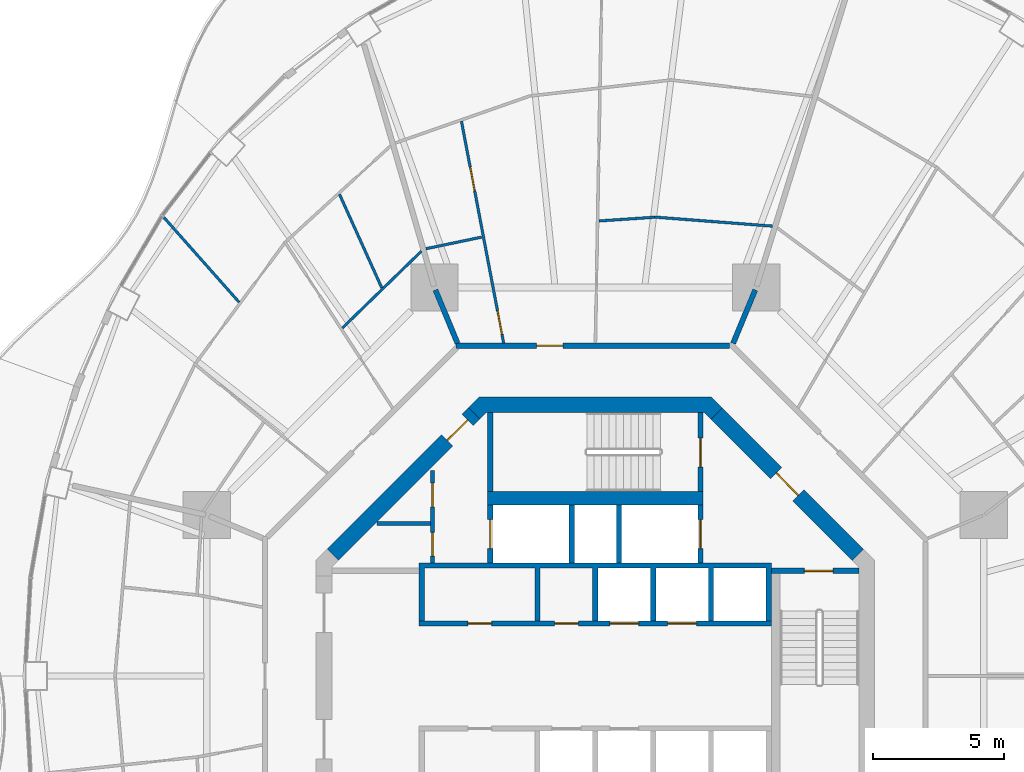
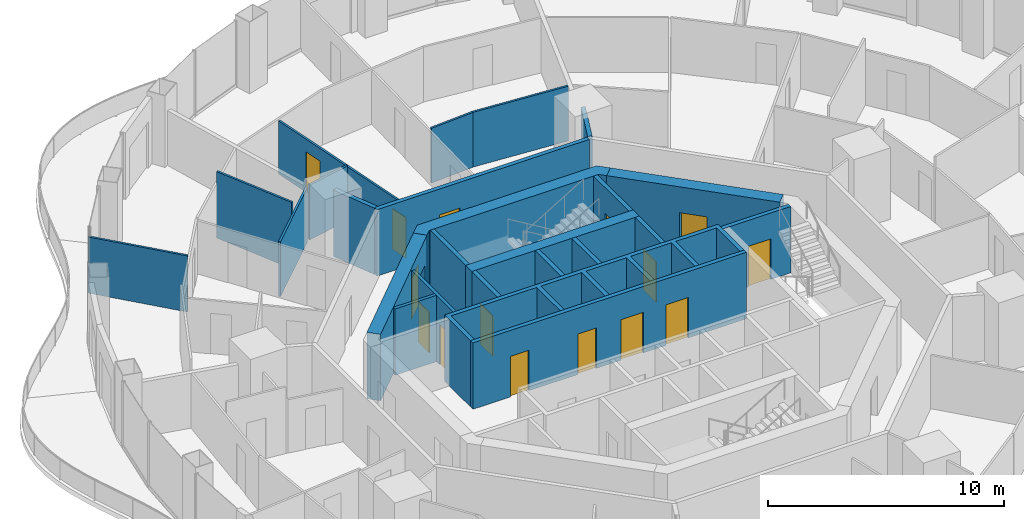
# One storey, part 14 of 19: 25 walls, 15 doors, 15 openings.
"""IFC4 building model written with IfcOpenShell, lengths in metres."""

from ifc_helpers import new_model, si_unit, direction, frame, frame_2d, origin, place, context, subcontext, project, spatial, polyline, rectangle, outline, extrude, material, layer, layer_set, type_object, element, fill, save


model = new_model("IFC4")

# Units and contexts
model_context = context("Model", 3, precision=1e-05, world=origin(), true_north=direction((0.0, 1.0)))
body_context = subcontext(model_context, "Body", "Model", "MODEL_VIEW")
ifc_project = project(units=[si_unit("LENGTHUNIT", "METRE"), si_unit("AREAUNIT", "SQUARE_METRE"), si_unit("VOLUMEUNIT", "CUBIC_METRE"), si_unit("PLANEANGLEUNIT", "RADIAN"), si_unit("MASSUNIT", "GRAM", prefix="KILO")], contexts=[model_context])

# Site, building, storey
site_placement = place(None, origin())
site = spatial("IfcSite", under=ifc_project, at=site_placement, CompositionType="ELEMENT")
building_placement = place(site_placement, origin())
building = spatial("IfcBuilding", under=site, at=building_placement, Name="Nagisa Residences", CompositionType="ELEMENT")
storey_placement = place(building_placement, frame((0.0, 0.0, 184.39990234375)))
storey = spatial("IfcBuildingStorey", under=building, at=storey_placement, Name="L46", CompositionType="ELEMENT", Elevation=184.39990234375)

# Walls
ifc_material_1 = material(Name="Gypsum board on steel studs", Category="steel")
ifc_layer_1 = layer(ifc_material_1, 0.199951171875)
ifc_layer_set_1 = layer_set([ifc_layer_1], Name="Apartment compartment wall EI60 200")
wall_type_1 = type_object("IfcWallType", Name="Apartment compartment wall EI60 200", PredefinedType="PARTITIONING", material=ifc_layer_set_1)
wall_1_placement = place(storey_placement, frame((5.24267578125, 12.6572265625, 0.0), z_axis=(0.0, 0.0, 1.0), x_axis=(0.382747093259, 0.923853160736, 0.0)))
element("IfcWall", 1, at=wall_1_placement, inside=storey, type_object=wall_type_1, Name="wall:L46:u00", PredefinedType="PARTITIONING", context=body_context, shape_type="SweptSolid", body=[
    extrude(rectangle(XDim=2.199951171875, YDim=0.199951171875, at=frame_2d((1.10009765625, 0.0))), origin(), (0.0, 0.0, 1.0), 3.440185546875),
])
wall_2_placement = place(storey_placement, frame((-5.24267578125, 12.6572265625, 0.0), z_axis=(0.0, 0.0, 1.0), x_axis=(-0.382707856524, 0.923869415315, 0.0)))
element("IfcWall", 2, at=wall_2_placement, inside=storey, type_object=wall_type_1, Name="wall:L46:u02", PredefinedType="PARTITIONING", context=body_context, shape_type="SweptSolid", body=[
    extrude(rectangle(XDim=2.2001953125, YDim=0.199951171875, at=frame_2d((1.10009765625, 0.0))), origin(), (0.0, 0.0, 1.0), 3.440185546875),
])

# Wall, opening, door
ifc_material_2 = material(Name="Gypsum board on steel studs", Category="steel")
ifc_layer_2 = layer(ifc_material_2, 0.199951171875)
ifc_layer_set_2 = layer_set([ifc_layer_2], Name="Apartment entry wall EI60 200")
wall_type_2 = type_object("IfcWallType", Name="Apartment entry wall EI60 200", PredefinedType="PARTITIONING", material=ifc_layer_set_2)
wall_3_placement = place(storey_placement, frame((5.1044921875, 12.564697265625, 0.0), z_axis=(0.0, 0.0, 1.0), x_axis=(-1.0, 0.0, 0.0)))
wall_3 = element("IfcWall", 3, at=wall_3_placement, inside=storey, type_object=wall_type_2, Name="wall:L46:u12", PredefinedType="PARTITIONING", context=body_context, shape_type="SweptSolid", body=[
    extrude(rectangle(XDim=10.408935546875, YDim=0.199951171875, at=frame_2d((5.20458984375, 0.0))), origin(), (0.0, 0.0, 1.0), 3.440185546875),
])
opening_1_placement = place(wall_3_placement, frame((6.33935546875, 0.0, 0.0)))
opening_1 = element("IfcOpeningElement", 4, at=opening_1_placement, cuts=wall_3, Name="Opening L46-U47", PredefinedType="OPENING", context=body_context, shape_type="SweptSolid", body=[
    extrude(rectangle(XDim=1.0, YDim=2.10009765625, at=frame_2d((0.5, 1.050048828125))), frame((0.0, 0.10986328125, 0.0), z_axis=(0.0, -1.0, 0.0), x_axis=(1.0, 0.0, 0.0)), (0.0, 0.0, 1.0), 0.219970703125),
])
ifc_material_3 = material(Name="Timber fire door set", Category="wood")
door_type_1 = type_object("IfcDoorType", Name="Apartment entry door FD30S 1000x2100", OperationType="NOTDEFINED", PredefinedType="DOOR", material=ifc_material_3)
door_1_placement = place(opening_1_placement, frame((1.0, 0.0, 0.0), x_axis=(-1.0, 0.0, 0.0)))
door_1 = element("IfcDoor", 5, at=door_1_placement, inside=storey, type_object=door_type_1, Name="Entry door, Apartment 46E", OperationType="SINGLE_SWING_RIGHT", OverallHeight=2.10009765625, OverallWidth=1.0, PredefinedType="DOOR", context=body_context, shape_type="SweptSolid", body=[
    extrude(rectangle(XDim=1.0, YDim=2.10009765625, at=frame_2d((0.5, 1.050048828125))), frame((0.0, 0.02490234375, 0.0), z_axis=(0.0, -1.0, 0.0), x_axis=(1.0, 0.0, 0.0)), (0.0, 0.0, 1.0), 0.050048828125),
])
fill(opening_1, door_1)

# Walls
ifc_material_4 = material(Name="Gypsum board on steel studs", Category="steel")
ifc_layer_3 = layer(ifc_material_4, 0.10009765625)
ifc_layer_set_3 = layer_set([ifc_layer_3], Name="Apartment partition 100")
wall_type_3 = type_object("IfcWallType", Name="Apartment partition 100", PredefinedType="PARTITIONING", material=ifc_layer_set_3)
wall_4_placement = place(storey_placement, frame((6.7412109375, 17.1171875, 0.0), z_axis=(0.0, 0.0, 1.0), x_axis=(-0.997078320723, 0.076386008825, 0.0)))
element("IfcWall", 6, at=wall_4_placement, inside=storey, type_object=wall_type_3, Name="wall:L46:u38", PredefinedType="PARTITIONING", context=body_context, shape_type="SweptSolid", body=[
    extrude(rectangle(XDim=4.509765625, YDim=0.10009765625, at=frame_2d((2.2548828125, 0.0))), origin(), (0.0, 0.0, 1.0), 2.837158203125),
])
wall_5_placement = place(storey_placement, frame((2.244384765625, 17.45458984375, 0.0), z_axis=(0.0, 0.0, 1.0), x_axis=(-0.997756833447, -0.06694252243, 0.0)))
element("IfcWall", 7, at=wall_5_placement, inside=storey, type_object=wall_type_3, Name="wall:L46:u40", PredefinedType="PARTITIONING", context=body_context, shape_type="SweptSolid", body=[
    extrude(rectangle(XDim=2.104248046875, YDim=0.10009765625, at=frame_2d((1.05224609375, 0.0))), origin(), (0.0, 0.0, 1.0), 2.837158203125),
])

# Wall, openings, doors
wall_6_placement = place(storey_placement, frame((-3.48828125, 12.6630859375, 0.0), z_axis=(0.0, 0.0, 1.0), x_axis=(-0.186783185485, 0.982401161247, 0.0)))
wall_6 = element("IfcWall", 8, at=wall_6_placement, inside=storey, type_object=wall_type_3, Name="wall:L46:u44", PredefinedType="PARTITIONING", context=body_context, shape_type="SweptSolid", body=[
    extrude(rectangle(XDim=8.595458984375, YDim=0.10009765625, at=frame_2d((4.2978515625, 0.0))), origin(), (0.0, 0.0, 1.0), 2.756103515625),
])
opening_2_placement = place(wall_6_placement, frame((0.35009765625, 0.0, 0.0)))
opening_2 = element("IfcOpeningElement", 9, at=opening_2_placement, cuts=wall_6, Name="Opening L46-U49", PredefinedType="OPENING", context=body_context, shape_type="SweptSolid", body=[
    extrude(rectangle(XDim=0.89990234375, YDim=2.10009765625, at=frame_2d((0.449951171875, 1.050048828125))), frame((0.0, 0.06005859375, 0.0), z_axis=(0.0, -1.0, 0.0), x_axis=(1.0, 0.0, 0.0)), (0.0, 0.0, 1.0), 0.1201171875),
])
opening_3_placement = place(wall_6_placement, frame((5.908447265625, 0.0, 0.0)))
opening_3 = element("IfcOpeningElement", 10, at=opening_3_placement, cuts=wall_6, Name="Opening L46-U51", PredefinedType="OPENING", context=body_context, shape_type="SweptSolid", body=[
    extrude(rectangle(XDim=0.89990234375, YDim=2.10009765625, at=frame_2d((0.449951171875, 1.050048828125))), frame((0.0, 0.06005859375, 0.0), z_axis=(0.0, -1.0, 0.0), x_axis=(1.0, 0.0, 0.0)), (0.0, 0.0, 1.0), 0.1201171875),
])
ifc_material_5 = material(Name="Timber door set", Category="wood")
door_type_2 = type_object("IfcDoorType", Name="Apartment door 900x2100", OperationType="NOTDEFINED", PredefinedType="DOOR", material=ifc_material_5)
door_2_placement = place(opening_2_placement, origin())
door_2 = element("IfcDoor", 11, at=door_2_placement, inside=storey, type_object=door_type_2, Name="Door to family bathroom, Apartment 46E", OperationType="SINGLE_SWING_LEFT", OverallHeight=2.10009765625, OverallWidth=0.89990234375, PredefinedType="DOOR", context=body_context, shape_type="SweptSolid", body=[
    extrude(rectangle(XDim=0.89990234375, YDim=2.10009765625, at=frame_2d((0.449951171875, 1.050048828125))), frame((0.0, 0.02490234375, 0.0), z_axis=(0.0, -1.0, 0.0), x_axis=(1.0, 0.0, 0.0)), (0.0, 0.0, 1.0), 0.050048828125),
])
fill(opening_2, door_2)
door_3_placement = place(opening_3_placement, origin())
door_3 = element("IfcDoor", 12, at=door_3_placement, inside=storey, type_object=door_type_2, Name="Door to family bathroom, Apartment 46E", OperationType="SINGLE_SWING_LEFT", OverallHeight=2.10009765625, OverallWidth=0.89990234375, PredefinedType="DOOR", context=body_context, shape_type="SweptSolid", body=[
    extrude(rectangle(XDim=0.89990234375, YDim=2.10009765625, at=frame_2d((0.449951171875, 1.050048828125))), frame((0.0, 0.02490234375, 0.0), z_axis=(0.0, -1.0, 0.0), x_axis=(1.0, 0.0, 0.0)), (0.0, 0.0, 1.0), 0.050048828125),
])
fill(opening_3, door_3)

# Walls
wall_7_placement = place(storey_placement, frame((-4.324462890625, 16.69921875, 0.0), z_axis=(0.0, 0.0, 1.0), x_axis=(-0.978909151576, -0.204296042448, 0.0)))
element("IfcWall", 13, at=wall_7_placement, inside=storey, type_object=wall_type_3, Name="wall:L46:u45", PredefinedType="PARTITIONING", context=body_context, shape_type="SweptSolid", body=[
    extrude(rectangle(XDim=2.167724609375, YDim=0.10009765625, at=frame_2d((1.083984375, 0.0))), origin(), (0.0, 0.0, 1.0), 2.837158203125),
])
wall_8_placement = place(storey_placement, frame((-6.6162109375, 16.166259765625, 0.0), z_axis=(0.0, 0.0, 1.0), x_axis=(-0.716919058692, -0.697156412352, 0.0)))
element("IfcWall", 14, at=wall_8_placement, inside=storey, type_object=wall_type_3, Name="wall:L46:u46", PredefinedType="PARTITIONING", context=body_context, shape_type="SweptSolid", body=[
    extrude(rectangle(XDim=4.2001953125, YDim=0.10009765625, at=frame_2d((2.10009765625, 0.0))), origin(), (0.0, 0.0, 1.0), 2.837158203125),
])
wall_9_placement = place(storey_placement, frame((-8.12451171875, 14.76513671875, 0.0), z_axis=(0.0, 0.0, 1.0), x_axis=(-0.411745679848, 0.911298795745, 0.0)))
element("IfcWall", 15, at=wall_9_placement, inside=storey, type_object=wall_type_3, Name="wall:L46:u48", PredefinedType="PARTITIONING", context=body_context, shape_type="SweptSolid", body=[
    extrude(rectangle(XDim=3.9091796875, YDim=0.10009765625, at=frame_2d((1.95458984375, 0.0))), origin(), (0.0, 0.0, 1.0), 3.440185546875),
])
wall_10_placement = place(storey_placement, frame((-13.552001953125, 14.21875, 0.0), z_axis=(0.0, 0.0, 1.0), x_axis=(-0.663542794709, 0.748138329181, 0.0)))
element("IfcWall", 16, at=wall_10_placement, inside=storey, type_object=wall_type_3, Name="wall:L46:u51", PredefinedType="PARTITIONING", context=body_context, shape_type="SweptSolid", body=[
    extrude(rectangle(XDim=4.4501953125, YDim=0.10009765625, at=frame_2d((2.22509765625, 0.0))), origin(), (0.0, 0.0, 1.0), 2.905029296875),
])

# Wall, openings, doors
ifc_material_6 = material(Name="Gypsum board on steel studs", Category="steel")
ifc_layer_4 = layer(ifc_material_6, 0.14990234375)
ifc_layer_set_4 = layer_set([ifc_layer_4], Name="Core partition 150")
wall_type_4 = type_object("IfcWallType", Name="Core partition 150", PredefinedType="PARTITIONING", material=ifc_layer_set_4)
wall_11_placement = place(storey_placement, frame((-6.199951171875, 4.300048828125, 0.0), z_axis=(0.0, 0.0, 1.0), x_axis=(0.0, 1.0, 0.0)))
wall_11 = element("IfcWall", 17, at=wall_11_placement, inside=storey, type_object=wall_type_4, Name="wall:L46:NWp", PredefinedType="PARTITIONING", context=body_context, shape_type="SweptSolid", body=[
    extrude(rectangle(XDim=3.52685546875, YDim=0.14990234375, at=frame_2d((1.763427734375, 0.0))), origin(), (0.0, 0.0, 1.0), 3.440185546875),
])
opening_4_placement = place(wall_11_placement, frame((0.262451171875, 0.0, 0.0)))
opening_4 = element("IfcOpeningElement", 18, at=opening_4_placement, cuts=wall_11, Name="Opening L46-C11", PredefinedType="OPENING", context=body_context, shape_type="SweptSolid", body=[
    extrude(rectangle(XDim=0.89990234375, YDim=2.10009765625, at=frame_2d((0.449951171875, 1.050048828125))), frame((0.0, 0.0849609375, 0.0), z_axis=(0.0, -1.0, 0.0), x_axis=(1.0, 0.0, 0.0)), (0.0, 0.0, 1.0), 0.169921875),
])
opening_5_placement = place(wall_11_placement, frame((2.138427734375, 0.0, 0.0)))
opening_5 = element("IfcOpeningElement", 19, at=opening_5_placement, cuts=wall_11, Name="Opening L46-C12", PredefinedType="OPENING", context=body_context, shape_type="SweptSolid", body=[
    extrude(rectangle(XDim=0.89990234375, YDim=2.10009765625, at=frame_2d((0.449951171875, 1.050048828125))), frame((0.0, 0.0849609375, 0.0), z_axis=(0.0, -1.0, 0.0), x_axis=(1.0, 0.0, 0.0)), (0.0, 0.0, 1.0), 0.169921875),
])
ifc_material_7 = material(Name="Steel fire door", Category="steel")
door_type_3 = type_object("IfcDoorType", Name="Fire door EI30 900x2100 single swing", OperationType="NOTDEFINED", PredefinedType="DOOR", material=ifc_material_7)
door_4_placement = place(opening_4_placement, origin())
door_4 = element("IfcDoor", 20, at=door_4_placement, inside=storey, type_object=door_type_3, Name="Electrical room door L46", OperationType="SINGLE_SWING_RIGHT", OverallHeight=2.10009765625, OverallWidth=0.89990234375, PredefinedType="DOOR", context=body_context, shape_type="SweptSolid", body=[
    extrude(rectangle(XDim=0.89990234375, YDim=2.10009765625, at=frame_2d((0.449951171875, 1.050048828125))), frame((0.0, 0.02490234375, 0.0), z_axis=(0.0, -1.0, 0.0), x_axis=(1.0, 0.0, 0.0)), (0.0, 0.0, 1.0), 0.050048828125),
])
fill(opening_4, door_4)
door_5_placement = place(opening_5_placement, origin())
door_5 = element("IfcDoor", 21, at=door_5_placement, inside=storey, type_object=door_type_3, Name="Telecom room door L46", OperationType="SINGLE_SWING_RIGHT", OverallHeight=2.10009765625, OverallWidth=0.89990234375, PredefinedType="DOOR", context=body_context, shape_type="SweptSolid", body=[
    extrude(rectangle(XDim=0.89990234375, YDim=2.10009765625, at=frame_2d((0.449951171875, 1.050048828125))), frame((0.0, 0.02490234375, 0.0), z_axis=(0.0, -1.0, 0.0), x_axis=(1.0, 0.0, 0.0)), (0.0, 0.0, 1.0), 0.050048828125),
])
fill(opening_5, door_5)

# Wall
wall_12_placement = place(storey_placement, frame((-8.301025390625, 5.800048828125, 0.0), z_axis=(0.0, 0.0, 1.0), x_axis=(1.0, 0.0, 0.0)))
element("IfcWall", 22, at=wall_12_placement, inside=storey, type_object=wall_type_4, Name="wall:L46:NWq", PredefinedType="PARTITIONING", context=body_context, shape_type="SweptSolid", body=[
    extrude(rectangle(XDim=2.026123046875, YDim=0.14990234375, at=frame_2d((1.01318359375, 0.0))), origin(), (0.0, 0.0, 1.0), 3.440185546875),
])

# Wall, opening, door
ifc_material_8 = material(Name="Concrete C60", Category="concrete")
ifc_layer_5 = layer(ifc_material_8, 0.60009765625)
ifc_layer_set_5 = layer_set([ifc_layer_5], Name="Core shear wall 600")
wall_type_5 = type_object("IfcWallType", Name="Core shear wall 600", PredefinedType="SHEAR", material=ifc_layer_set_5)
wall_13_placement = place(storey_placement, frame((9.98828125, 4.613037109375, 0.0), z_axis=(0.0, 0.0, 1.0), x_axis=(-0.707106781187, 0.707106781187, 0.0)))
wall_13 = element("IfcWall", 23, at=wall_13_placement, inside=storey, type_object=wall_type_5, Name="wall:L46:core:flat1", PredefinedType="SHEAR", context=body_context, shape_type="SweptSolid", body=[
    extrude(rectangle(XDim=7.601806640625, YDim=0.60009765625, at=frame_2d((3.80078125, 0.0))), origin(), (0.0, 0.0, 1.0), 3.440185546875),
])
opening_6_placement = place(wall_13_placement, frame((3.200927734375, 0.0, 0.0)))
opening_6 = element("IfcOpeningElement", 24, at=opening_6_placement, cuts=wall_13, Name="Opening L46-C18", PredefinedType="OPENING", context=body_context, shape_type="SweptSolid", body=[
    extrude(rectangle(XDim=1.199951171875, YDim=2.10009765625, at=frame_2d((0.60009765625, 1.050048828125))), frame((0.0, 0.31005859375, 0.0), z_axis=(0.0, -1.0, 0.0), x_axis=(1.0, 0.0, 0.0)), (0.0, 0.0, 1.0), 0.6201171875),
])
ifc_material_9 = material(Name="Steel fire door", Category="steel")
door_type_4 = type_object("IfcDoorType", Name="Fire door EI60 1200x2100 single swing", OperationType="NOTDEFINED", PredefinedType="DOOR", material=ifc_material_9)
door_6_placement = place(opening_6_placement, origin())
door_6 = element("IfcDoor", 25, at=door_6_placement, inside=storey, type_object=door_type_4, Name="Firefighting lobby 1 door L46", OperationType="SINGLE_SWING_RIGHT", OverallHeight=2.10009765625, OverallWidth=1.199951171875, PredefinedType="DOOR", context=body_context, shape_type="SweptSolid", body=[
    extrude(rectangle(XDim=1.199951171875, YDim=2.10009765625, at=frame_2d((0.60009765625, 1.050048828125))), frame((0.0, 0.02490234375, 0.0), z_axis=(0.0, -1.0, 0.0), x_axis=(1.0, 0.0, 0.0)), (0.0, 0.0, 1.0), 0.050048828125),
])
fill(opening_6, door_6)

wall_14_placement = place(storey_placement, frame((-4.613037109375, 9.98828125, 0.0), z_axis=(0.0, 0.0, 1.0), x_axis=(-0.707106781187, -0.707106781187, 0.0)))
wall_14 = element("IfcWall", 26, at=wall_14_placement, inside=storey, type_object=wall_type_5, Name="wall:L46:core:flat3", PredefinedType="SHEAR", context=body_context, shape_type="SweptSolid", body=[
    extrude(rectangle(XDim=7.601806640625, YDim=0.60009765625, at=frame_2d((3.80078125, 0.0))), origin(), (0.0, 0.0, 1.0), 3.440185546875),
])
opening_7_placement = place(wall_14_placement, frame((0.350830078125, 0.0, 0.0)))
opening_7 = element("IfcOpeningElement", 27, at=opening_7_placement, cuts=wall_14, Name="Opening L46-C22", PredefinedType="OPENING", context=body_context, shape_type="SweptSolid", body=[
    extrude(rectangle(XDim=1.10009765625, YDim=2.10009765625, at=frame_2d((0.550048828125, 1.050048828125))), frame((0.0, 0.31005859375, 0.0), z_axis=(0.0, -1.0, 0.0), x_axis=(1.0, 0.0, 0.0)), (0.0, 0.0, 1.0), 0.6201171875),
])
ifc_material_10 = material(Name="Steel fire door", Category="steel")
door_type_5 = type_object("IfcDoorType", Name="Fire door EI60 1100x2100 single swing", OperationType="NOTDEFINED", PredefinedType="DOOR", material=ifc_material_10)
door_7_placement = place(opening_7_placement, origin())
door_7 = element("IfcDoor", 28, at=door_7_placement, inside=storey, type_object=door_type_5, Name="Service lobby door L46", OperationType="SINGLE_SWING_RIGHT", OverallHeight=2.10009765625, OverallWidth=1.10009765625, PredefinedType="DOOR", context=body_context, shape_type="SweptSolid", body=[
    extrude(rectangle(XDim=1.10009765625, YDim=2.10009765625, at=frame_2d((0.550048828125, 1.050048828125))), frame((0.0, 0.02490234375, 0.0), z_axis=(0.0, -1.0, 0.0), x_axis=(1.0, 0.0, 0.0)), (0.0, 0.0, 1.0), 0.050048828125),
])
fill(opening_7, door_7)

# Wall
wall_15_placement = place(storey_placement, origin())
element("IfcWall", 29, at=wall_15_placement, inside=storey, type_object=wall_type_5, Name="wall:L46:core:flat2", PredefinedType="SHEAR", context=body_context, shape_type="SweptSolid", body=[
    extrude(outline(polyline([(-4.15234375, 10.024658203125), (-4.40087890625, 9.776123046875), (-4.8251953125, 10.200439453125), (-4.40087890625, 10.62451171875), (4.40087890625, 10.62451171875), (4.8251953125, 10.200439453125), (4.40087890625, 9.776123046875), (4.15234375, 10.024658203125), (-4.15234375, 10.024658203125)])), origin(), (0.0, 0.0, 1.0), 3.440185546875),
])

# Wall, opening, door
ifc_material_11 = material(Name="Concrete C60", Category="concrete")
ifc_layer_6 = layer(ifc_material_11, 0.199951171875)
ifc_layer_set_6 = layer_set([ifc_layer_6], Name="Lift shaft wall 200")
wall_type_6 = type_object("IfcWallType", Name="Lift shaft wall 200", PredefinedType="SOLIDWALL", material=ifc_layer_set_6)
wall_16_placement = place(storey_placement, frame((4.0, 4.300048828125, 0.0), z_axis=(0.0, 0.0, 1.0), x_axis=(0.0, 1.0, 0.0)))
wall_16 = element("IfcWall", 30, at=wall_16_placement, inside=storey, type_object=wall_type_6, Name="wall:L46:Nb3", PredefinedType="SOLIDWALL", context=body_context, shape_type="SweptSolid", body=[
    extrude(rectangle(XDim=2.199951171875, YDim=0.199951171875, at=frame_2d((1.10009765625, 0.0))), origin(), (0.0, 0.0, 1.0), 3.440185546875),
])
opening_8_placement = place(wall_16_placement, frame((0.550048828125, 0.0, 0.0)))
opening_8 = element("IfcOpeningElement", 31, at=opening_8_placement, cuts=wall_16, Name="Opening L46-C05", PredefinedType="OPENING", context=body_context, shape_type="SweptSolid", body=[
    extrude(rectangle(XDim=1.10009765625, YDim=2.10009765625, at=frame_2d((0.550048828125, 1.050048828125))), frame((0.0, 0.10986328125, 0.0), z_axis=(0.0, -1.0, 0.0), x_axis=(1.0, 0.0, 0.0)), (0.0, 0.0, 1.0), 0.219970703125),
])
ifc_material_12 = material(Name="Stainless steel", Category="steel")
door_type_6 = type_object("IfcDoorType", Name="Lift landing door 1100x2100", OperationType="DOUBLE_DOOR_SLIDING", PredefinedType="DOOR", material=ifc_material_12)
door_8_placement = place(opening_8_placement, origin())
door_8 = element("IfcDoor", 32, at=door_8_placement, inside=storey, type_object=door_type_6, Name="Landing door FL1 L46", OperationType="DOUBLE_DOOR_SLIDING", OverallHeight=2.10009765625, OverallWidth=1.10009765625, PredefinedType="DOOR", context=body_context, shape_type="SweptSolid", body=[
    extrude(rectangle(XDim=1.10009765625, YDim=2.10009765625, at=frame_2d((0.550048828125, 1.050048828125))), frame((0.0, 0.02490234375, 0.0), z_axis=(0.0, -1.0, 0.0), x_axis=(1.0, 0.0, 0.0)), (0.0, 0.0, 1.0), 0.050048828125),
])
fill(opening_8, door_8)

wall_17_placement = place(storey_placement, frame((-4.0, 4.300048828125, 0.0), z_axis=(0.0, 0.0, 1.0), x_axis=(0.0, 1.0, 0.0)))
wall_17 = element("IfcWall", 33, at=wall_17_placement, inside=storey, type_object=wall_type_6, Name="wall:L46:Nb4", PredefinedType="SOLIDWALL", context=body_context, shape_type="SweptSolid", body=[
    extrude(rectangle(XDim=2.199951171875, YDim=0.199951171875, at=frame_2d((1.10009765625, 0.0))), origin(), (0.0, 0.0, 1.0), 3.440185546875),
])
opening_9_placement = place(wall_17_placement, frame((0.550048828125, 0.0, 0.0)))
opening_9 = element("IfcOpeningElement", 34, at=opening_9_placement, cuts=wall_17, Name="Opening L46-C07", PredefinedType="OPENING", context=body_context, shape_type="SweptSolid", body=[
    extrude(rectangle(XDim=1.10009765625, YDim=2.10009765625, at=frame_2d((0.550048828125, 1.050048828125))), frame((0.0, 0.10986328125, 0.0), z_axis=(0.0, -1.0, 0.0), x_axis=(1.0, 0.0, 0.0)), (0.0, 0.0, 1.0), 0.219970703125),
])
door_9_placement = place(opening_9_placement, origin())
door_9 = element("IfcDoor", 35, at=door_9_placement, inside=storey, type_object=door_type_6, Name="Landing door SV L46", OperationType="DOUBLE_DOOR_SLIDING", OverallHeight=2.10009765625, OverallWidth=1.10009765625, PredefinedType="DOOR", context=body_context, shape_type="SweptSolid", body=[
    extrude(rectangle(XDim=1.10009765625, YDim=2.10009765625, at=frame_2d((0.550048828125, 1.050048828125))), frame((0.0, 0.02490234375, 0.0), z_axis=(0.0, -1.0, 0.0), x_axis=(1.0, 0.0, 0.0)), (0.0, 0.0, 1.0), 0.050048828125),
])
fill(opening_9, door_9)

# Wall, openings, doors
wall_18_placement = place(storey_placement, frame((-6.699951171875, 2.0, 0.0), z_axis=(0.0, 0.0, 1.0), x_axis=(1.0, 0.0, 0.0)))
wall_18 = element("IfcWall", 36, at=wall_18_placement, inside=storey, type_object=wall_type_6, Name="wall:L46:Nfront", PredefinedType="SOLIDWALL", context=body_context, shape_type="SweptSolid", body=[
    extrude(rectangle(XDim=13.39990234375, YDim=0.199951171875, at=frame_2d((6.699951171875, 0.0))), origin(), (0.0, 0.0, 1.0), 3.440185546875),
])
opening_10_placement = place(wall_18_placement, frame((7.25, 0.0, 0.0)))
opening_10 = element("IfcOpeningElement", 37, at=opening_10_placement, cuts=wall_18, Name="Opening L46-C01", PredefinedType="OPENING", context=body_context, shape_type="SweptSolid", body=[
    extrude(rectangle(XDim=1.10009765625, YDim=2.10009765625, at=frame_2d((0.550048828125, 1.050048828125))), frame((0.0, 0.10986328125, 0.0), z_axis=(0.0, -1.0, 0.0), x_axis=(1.0, 0.0, 0.0)), (0.0, 0.0, 1.0), 0.219970703125),
])
opening_11_placement = place(wall_18_placement, frame((9.449951171875, 0.0, 0.0)))
opening_11 = element("IfcOpeningElement", 38, at=opening_11_placement, cuts=wall_18, Name="Opening L46-C02", PredefinedType="OPENING", context=body_context, shape_type="SweptSolid", body=[
    extrude(rectangle(XDim=1.10009765625, YDim=2.10009765625, at=frame_2d((0.550048828125, 1.050048828125))), frame((0.0, 0.10986328125, 0.0), z_axis=(0.0, -1.0, 0.0), x_axis=(1.0, 0.0, 0.0)), (0.0, 0.0, 1.0), 0.219970703125),
])
opening_12_placement = place(wall_18_placement, frame((1.85009765625, 0.0, 0.0)))
opening_12 = element("IfcOpeningElement", 39, at=opening_12_placement, cuts=wall_18, Name="Opening L46-C15", PredefinedType="OPENING", context=body_context, shape_type="SweptSolid", body=[
    extrude(rectangle(XDim=0.89990234375, YDim=2.10009765625, at=frame_2d((0.449951171875, 1.050048828125))), frame((0.0, 0.10986328125, 0.0), z_axis=(0.0, -1.0, 0.0), x_axis=(1.0, 0.0, 0.0)), (0.0, 0.0, 1.0), 0.219970703125),
])
opening_13_placement = place(wall_18_placement, frame((5.14990234375, 0.0, 0.0)))
opening_13 = element("IfcOpeningElement", 40, at=opening_13_placement, cuts=wall_18, Name="Opening L46-C16", PredefinedType="OPENING", context=body_context, shape_type="SweptSolid", body=[
    extrude(rectangle(XDim=0.89990234375, YDim=2.10009765625, at=frame_2d((0.449951171875, 1.050048828125))), frame((0.0, 0.10986328125, 0.0), z_axis=(0.0, -1.0, 0.0), x_axis=(1.0, 0.0, 0.0)), (0.0, 0.0, 1.0), 0.219970703125),
])
door_10_placement = place(opening_12_placement, origin())
door_10 = element("IfcDoor", 41, at=door_10_placement, inside=storey, type_object=door_type_3, Name="Linen store door L46", OperationType="SINGLE_SWING_LEFT", OverallHeight=2.10009765625, OverallWidth=0.89990234375, PredefinedType="DOOR", context=body_context, shape_type="SweptSolid", body=[
    extrude(rectangle(XDim=0.89990234375, YDim=2.10009765625, at=frame_2d((0.449951171875, 1.050048828125))), frame((0.0, 0.02490234375, 0.0), z_axis=(0.0, -1.0, 0.0), x_axis=(1.0, 0.0, 0.0)), (0.0, 0.0, 1.0), 0.050048828125),
])
fill(opening_12, door_10)
door_11_placement = place(opening_13_placement, origin())
door_11 = element("IfcDoor", 42, at=door_11_placement, inside=storey, type_object=door_type_3, Name="Tea preparation door L46", OperationType="SINGLE_SWING_LEFT", OverallHeight=2.10009765625, OverallWidth=0.89990234375, PredefinedType="DOOR", context=body_context, shape_type="SweptSolid", body=[
    extrude(rectangle(XDim=0.89990234375, YDim=2.10009765625, at=frame_2d((0.449951171875, 1.050048828125))), frame((0.0, 0.02490234375, 0.0), z_axis=(0.0, -1.0, 0.0), x_axis=(1.0, 0.0, 0.0)), (0.0, 0.0, 1.0), 0.050048828125),
])
fill(opening_13, door_11)
door_12_placement = place(opening_10_placement, origin())
door_12 = element("IfcDoor", 43, at=door_12_placement, inside=storey, type_object=door_type_6, Name="Landing door B1 L46", OperationType="DOUBLE_DOOR_SLIDING", OverallHeight=2.10009765625, OverallWidth=1.10009765625, PredefinedType="DOOR", context=body_context, shape_type="SweptSolid", body=[
    extrude(rectangle(XDim=1.10009765625, YDim=2.10009765625, at=frame_2d((0.550048828125, 1.050048828125))), frame((0.0, 0.02490234375, 0.0), z_axis=(0.0, -1.0, 0.0), x_axis=(1.0, 0.0, 0.0)), (0.0, 0.0, 1.0), 0.050048828125),
])
fill(opening_10, door_12)
door_13_placement = place(opening_11_placement, origin())
door_13 = element("IfcDoor", 44, at=door_13_placement, inside=storey, type_object=door_type_6, Name="Landing door B2 L46", OperationType="DOUBLE_DOOR_SLIDING", OverallHeight=2.10009765625, OverallWidth=1.10009765625, PredefinedType="DOOR", context=body_context, shape_type="SweptSolid", body=[
    extrude(rectangle(XDim=1.10009765625, YDim=2.10009765625, at=frame_2d((0.550048828125, 1.050048828125))), frame((0.0, 0.02490234375, 0.0), z_axis=(0.0, -1.0, 0.0), x_axis=(1.0, 0.0, 0.0)), (0.0, 0.0, 1.0), 0.050048828125),
])
fill(opening_11, door_13)

# Walls
for number, where, z_axis, x_axis, name in (
    (45, (-0.89990234375, 4.300048828125, 0.0), (0.0, 0.0, 1.0), (0.0, 1.0, 0.0), "wall:L46:Nb1"),
    (46, (0.89990234375, 4.300048828125, 0.0), (0.0, 0.0, 1.0), (0.0, 1.0, 0.0), "wall:L46:Nb2"),
):
    element("IfcWall", number, at=place(storey_placement, frame(where, z_axis=z_axis, x_axis=x_axis)), inside=storey, type_object=wall_type_6, Name=name, PredefinedType="SOLIDWALL", context=body_context, shape_type="SweptSolid", body=[
        extrude(rectangle(XDim=2.199951171875, YDim=0.199951171875, at=frame_2d((1.10009765625, 0.0))), origin(), (0.0, 0.0, 1.0), 3.440185546875),
    ])
wall_19_placement = place(storey_placement, origin())
element("IfcWall", 47, at=wall_19_placement, inside=storey, type_object=wall_type_6, Name="wall:L46:Nback", PredefinedType="SOLIDWALL", context=body_context, shape_type="SweptSolid", body=[
    extrude(outline(polyline([(-6.699951171875, 4.300048828125), (6.699951171875, 4.300048828125), (6.699951171875, 2.10009765625), (6.5, 2.10009765625), (6.5, 4.10009765625), (4.5, 4.10009765625), (4.5, 2.10009765625), (4.300048828125, 2.10009765625), (4.300048828125, 4.10009765625), (2.300048828125, 4.10009765625), (2.300048828125, 2.10009765625), (2.10009765625, 2.10009765625), (2.10009765625, 4.10009765625), (0.10009765625, 4.10009765625), (0.10009765625, 2.10009765625), (-0.10009765625, 2.10009765625), (-0.10009765625, 4.10009765625), (-2.10009765625, 4.10009765625), (-2.10009765625, 2.10009765625), (-2.300048828125, 2.10009765625), (-2.300048828125, 4.10009765625), (-6.5, 4.10009765625), (-6.5, 2.10009765625), (-6.699951171875, 2.10009765625), (-6.699951171875, 4.300048828125)])), origin(), (0.0, 0.0, 1.0), 3.440185546875),
])

# Wall, opening, door
ifc_material_13 = material(Name="Concrete C60", Category="concrete")
ifc_layer_7 = layer(ifc_material_13, 0.199951171875)
ifc_layer_set_7 = layer_set([ifc_layer_7], Name="Stair enclosure wall 200")
wall_type_7 = type_object("IfcWallType", Name="Stair enclosure wall 200", PredefinedType="SOLIDWALL", material=ifc_layer_set_7)
wall_20_placement = place(storey_placement, frame((6.699951171875, 4.0, 0.0), z_axis=(0.0, 0.0, 1.0), x_axis=(1.0, 0.0, 0.0)))
wall_20 = element("IfcWall", 48, at=wall_20_placement, inside=storey, type_object=wall_type_7, Name="wall:L46:SE_n", PredefinedType="SOLIDWALL", context=body_context, shape_type="SweptSolid", body=[
    extrude(rectangle(XDim=3.32470703125, YDim=0.199951171875, at=frame_2d((1.662353515625, 0.0))), origin(), (0.0, 0.0, 1.0), 3.440185546875),
])
opening_14_placement = place(wall_20_placement, frame((1.25, 0.0, 0.0)))
opening_14 = element("IfcOpeningElement", 49, at=opening_14_placement, cuts=wall_20, Name="Opening L46-C08", PredefinedType="OPENING", context=body_context, shape_type="SweptSolid", body=[
    extrude(rectangle(XDim=1.10009765625, YDim=2.10009765625, at=frame_2d((0.550048828125, 1.050048828125))), frame((0.0, 0.10986328125, 0.0), z_axis=(0.0, -1.0, 0.0), x_axis=(1.0, 0.0, 0.0)), (0.0, 0.0, 1.0), 0.219970703125),
])
ifc_material_14 = material(Name="Steel fire door", Category="steel")
door_type_7 = type_object("IfcDoorType", Name="Fire door EI90 1100x2100 single swing", OperationType="NOTDEFINED", PredefinedType="DOOR", material=ifc_material_14)
door_14_placement = place(opening_14_placement, frame((1.10009765625, 0.0, 0.0), x_axis=(-1.0, 0.0, 0.0)))
door_14 = element("IfcDoor", 50, at=door_14_placement, inside=storey, type_object=door_type_7, Name="Stair door ST-E L46", OperationType="SINGLE_SWING_RIGHT", OverallHeight=2.10009765625, OverallWidth=1.10009765625, PredefinedType="DOOR", context=body_context, shape_type="SweptSolid", body=[
    extrude(rectangle(XDim=1.10009765625, YDim=2.10009765625, at=frame_2d((0.550048828125, 1.050048828125))), frame((0.0, 0.02490234375, 0.0), z_axis=(0.0, -1.0, 0.0), x_axis=(1.0, 0.0, 0.0)), (0.0, 0.0, 1.0), 0.050048828125),
])
fill(opening_14, door_14)

wall_21_placement = place(storey_placement, frame((4.0, 7.024658203125, 0.0), z_axis=(0.0, 0.0, 1.0), x_axis=(0.0, 1.0, 0.0)))
wall_21 = element("IfcWall", 51, at=wall_21_placement, inside=storey, type_object=wall_type_7, Name="wall:L46:SN_e", PredefinedType="SOLIDWALL", context=body_context, shape_type="SweptSolid", body=[
    extrude(rectangle(XDim=3.0, YDim=0.199951171875, at=frame_2d((1.5, 0.0))), origin(), (0.0, 0.0, 1.0), 3.440185546875),
])
opening_15_placement = place(wall_21_placement, frame((0.92529296875, 0.0, 0.0)))
opening_15 = element("IfcOpeningElement", 52, at=opening_15_placement, cuts=wall_21, Name="Opening L46-C09", PredefinedType="OPENING", context=body_context, shape_type="SweptSolid", body=[
    extrude(rectangle(XDim=1.10009765625, YDim=2.10009765625, at=frame_2d((0.550048828125, 1.050048828125))), frame((0.0, 0.10986328125, 0.0), z_axis=(0.0, -1.0, 0.0), x_axis=(1.0, 0.0, 0.0)), (0.0, 0.0, 1.0), 0.219970703125),
])
door_15_placement = place(opening_15_placement, origin())
door_15 = element("IfcDoor", 53, at=door_15_placement, inside=storey, type_object=door_type_7, Name="Stair door ST-N L46", OperationType="SINGLE_SWING_LEFT", OverallHeight=2.10009765625, OverallWidth=1.10009765625, PredefinedType="DOOR", context=body_context, shape_type="SweptSolid", body=[
    extrude(rectangle(XDim=1.10009765625, YDim=2.10009765625, at=frame_2d((0.550048828125, 1.050048828125))), frame((0.0, 0.02490234375, 0.0), z_axis=(0.0, -1.0, 0.0), x_axis=(1.0, 0.0, 0.0)), (0.0, 0.0, 1.0), 0.050048828125),
])
fill(opening_15, door_15)

# Walls
wall_22_placement = place(storey_placement, origin())
element("IfcWall", 54, at=wall_22_placement, inside=storey, type_object=wall_type_7, Name="wall:L46:SN_w", PredefinedType="SOLIDWALL", context=body_context, shape_type="SweptSolid", body=[
    extrude(outline(polyline([(-3.89990234375, 7.024658203125), (-4.10009765625, 7.024658203125), (-4.10009765625, 10.024658203125), (-3.89990234375, 10.024658203125), (-3.89990234375, 7.024658203125)])), origin(), (0.0, 0.0, 1.0), 3.440185546875),
])
wall_23_placement = place(storey_placement, origin())
element("IfcWall", 55, at=wall_23_placement, inside=storey, type_object=wall_type_7, Name="wall:L46:SN_s", PredefinedType="SOLIDWALL", context=body_context, shape_type="SweptSolid", body=[
    extrude(outline(polyline([(4.10009765625, 6.5), (-4.10009765625, 6.5), (-4.10009765625, 7.024658203125), (4.10009765625, 7.024658203125), (4.10009765625, 6.5)])), origin(), (0.0, 0.0, 1.0), 3.440185546875),
])

save(model, "model.ifc")
